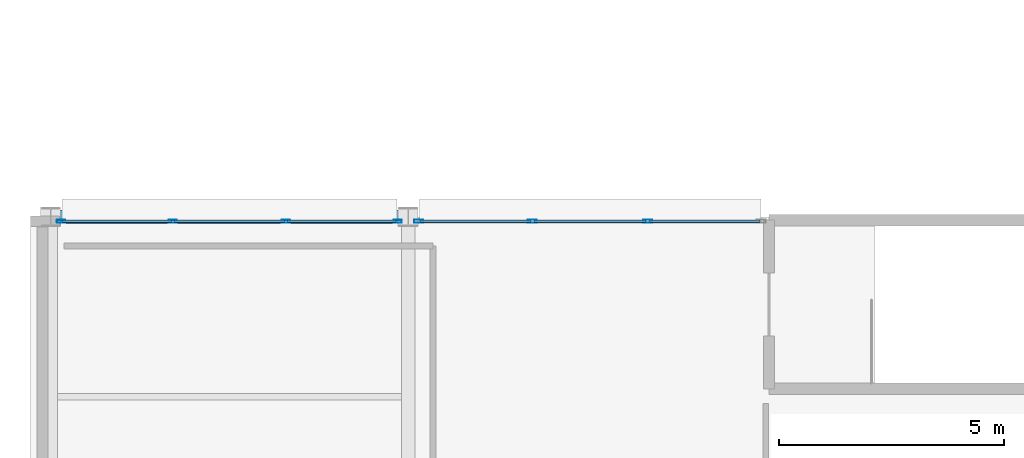
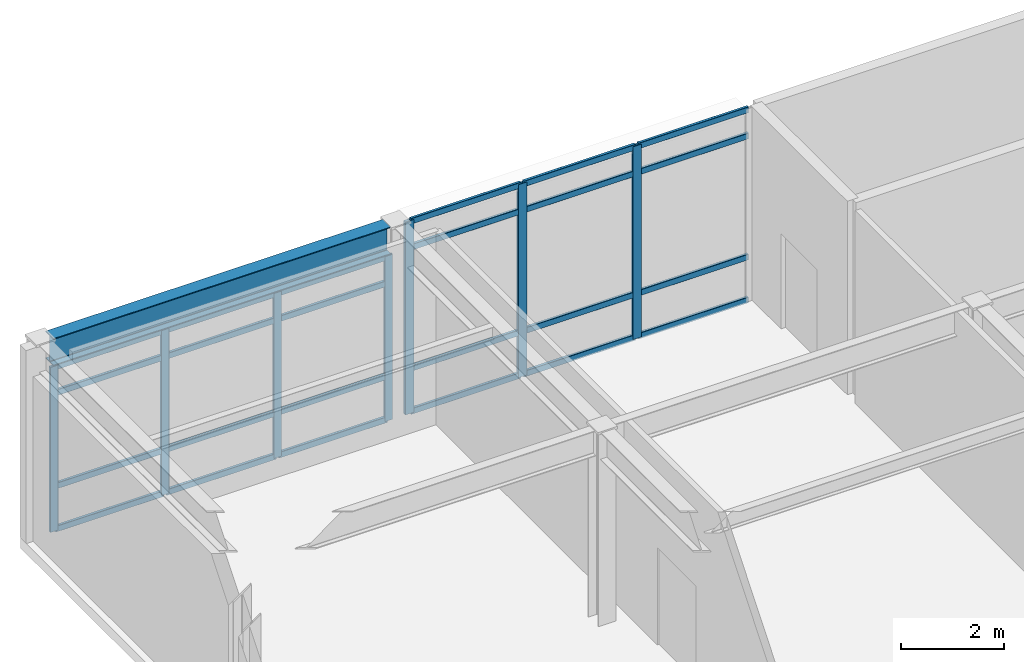
# One storey, part 13 of 61: 31 members, 1 beam, 2 elements without a shape of their own.
"""IFC4 building model written with IfcOpenShell, lengths in metres."""

from ifc_helpers import new_model, si_unit, direction, frame, origin, origin_2d, place, context, subcontext, project, spatial, hollow_rectangle, i_section, extrude, material, layer, layer_set, material_profile, profile_set, type_object, element, aggregate, save


model = new_model("IFC4")

# Units and contexts
model_context = context("Model", 3, precision=1e-05, world=origin(), true_north=direction((0.0, 1.0)))
body_context = subcontext(model_context, "Body", "Model", "MODEL_VIEW")
ifc_project = project(units=[si_unit("LENGTHUNIT", "METRE"), si_unit("AREAUNIT", "SQUARE_METRE"), si_unit("VOLUMEUNIT", "CUBIC_METRE"), si_unit("PLANEANGLEUNIT", "RADIAN"), si_unit("MASSUNIT", "GRAM", prefix="KILO")], contexts=[model_context])

# Site, building, storey
site_placement = place(None, origin())
site = spatial("IfcSite", under=ifc_project, at=site_placement, CompositionType="ELEMENT")
building_placement = place(site_placement, origin())
building = spatial("IfcBuilding", under=site, at=building_placement, Name="Kazehara Bluff Congress Hotel", CompositionType="ELEMENT")
storey_placement = place(building_placement, frame((0.0, 0.0, 19.800048828125)))
storey = spatial("IfcBuildingStorey", under=building, at=storey_placement, Name="L04", CompositionType="ELEMENT", Elevation=19.800048828125)

# Curtain wall, members
ifc_material_1 = material(Name="Anodised aluminium", Category="aluminium")
ifc_layer_1 = layer(ifc_material_1, 0.159912109375)
ifc_layer_set_1 = layer_set([ifc_layer_1], Name="Anodised aluminium")
curtain_wall_type_1 = type_object("IfcCurtainWallType", Name="TP-CW-156", PredefinedType="NOTDEFINED", material=ifc_layer_set_1)
curtain_wall_1_placement = place(storey_placement, origin())
curtain_wall_1 = element("IfcCurtainWall", 1, at=curtain_wall_1_placement, inside=storey, type_object=curtain_wall_type_1, Name="L04 curtain wall CW-156 CW-ENC-V4-L04-6368-5635", PredefinedType="NOTDEFINED")
ifc_material_2 = material(Name="Anodised aluminium", Category="aluminium")
ifc_material_profile_1 = material_profile(ifc_material_2, hollow_rectangle(XDim=0.06494140625, YDim=0.179931640625, WallThickness=0.00390625, InnerFilletRadius=0.00390625, OuterFilletRadius=0.008056640625, at=origin_2d()))
ifc_profile_set_1 = profile_set([ifc_material_profile_1], Name="Anodised aluminium")
member_type_1 = type_object("IfcMemberType", Name="TP-CWM-02", PredefinedType="MULLION", material=ifc_profile_set_1)
member_1_placement = place(storey_placement, frame((59.9326171875, 56.35009765625, 0.0), z_axis=(0.0, 0.0, 1.0), x_axis=(0.0, 1.0, 0.0)))
member_1 = element("IfcMember", 2, at=member_1_placement, type_object=member_type_1, Name="CW-156 mullion 1", PredefinedType="MULLION", context=body_context, shape_type="SweptSolid", body=[
    extrude(hollow_rectangle(XDim=0.06494140625, YDim=0.179931640625, WallThickness=0.00390625, InnerFilletRadius=0.00390625, OuterFilletRadius=0.008056640625, at=origin_2d()), origin(), (0.0, 0.0, 1.0), 3.905029296875),
])
member_2_placement = place(storey_placement, frame((62.416748046875, 56.35009765625, 0.0), z_axis=(0.0, 0.0, 1.0), x_axis=(0.0, 1.0, 0.0)))
member_2 = element("IfcMember", 3, at=member_2_placement, type_object=member_type_1, Name="CW-156 mullion 2", PredefinedType="MULLION", context=body_context, shape_type="SweptSolid", body=[
    extrude(hollow_rectangle(XDim=0.06494140625, YDim=0.179931640625, WallThickness=0.00390625, InnerFilletRadius=0.00390625, OuterFilletRadius=0.008056640625, at=origin_2d()), origin(), (0.0, 0.0, 1.0), 3.905029296875),
])
member_3_placement = place(storey_placement, frame((64.933349609375, 56.35009765625, 0.0), z_axis=(0.0, 0.0, 1.0), x_axis=(0.0, 1.0, 0.0)))
member_3 = element("IfcMember", 4, at=member_3_placement, type_object=member_type_1, Name="CW-156 mullion 3", PredefinedType="MULLION", context=body_context, shape_type="SweptSolid", body=[
    extrude(hollow_rectangle(XDim=0.06494140625, YDim=0.179931640625, WallThickness=0.00390625, InnerFilletRadius=0.00390625, OuterFilletRadius=0.008056640625, at=origin_2d()), origin(), (0.0, 0.0, 1.0), 3.905029296875),
])
member_4_placement = place(storey_placement, frame((67.41748046875, 56.35009765625, 0.0), z_axis=(0.0, 0.0, 1.0), x_axis=(0.0, 1.0, 0.0)))
member_4 = element("IfcMember", 5, at=member_4_placement, type_object=member_type_1, Name="CW-156 mullion 4", PredefinedType="MULLION", context=body_context, shape_type="SweptSolid", body=[
    extrude(hollow_rectangle(XDim=0.06494140625, YDim=0.179931640625, WallThickness=0.00390625, InnerFilletRadius=0.00390625, OuterFilletRadius=0.008056640625, at=origin_2d()), origin(), (0.0, 0.0, 1.0), 3.905029296875),
])

ifc_material_3 = material(Name="Anodised aluminium", Category="aluminium")
ifc_layer_2 = layer(ifc_material_3, 0.159912109375)
ifc_layer_set_2 = layer_set([ifc_layer_2], Name="Anodised aluminium")
curtain_wall_type_2 = type_object("IfcCurtainWallType", Name="TP-CW-157", PredefinedType="NOTDEFINED", material=ifc_layer_set_2)
curtain_wall_2_placement = place(storey_placement, origin())
curtain_wall_2 = element("IfcCurtainWall", 6, at=curtain_wall_2_placement, inside=storey, type_object=curtain_wall_type_2, Name="L04 curtain wall CW-157 CW-ENC-V4-L04-7169-5635", PredefinedType="NOTDEFINED")
ifc_material_4 = material(Name="Anodised aluminium", Category="aluminium")
ifc_material_profile_2 = material_profile(ifc_material_4, hollow_rectangle(XDim=0.070068359375, YDim=0.199951171875, WallThickness=0.0048828125, InnerFilletRadius=0.0048828125, OuterFilletRadius=0.010009765625, at=origin_2d()))
ifc_profile_set_2 = profile_set([ifc_material_profile_2], Name="Anodised aluminium")
member_type_2 = type_object("IfcMemberType", Name="TP-CWM-03", PredefinedType="MULLION", material=ifc_profile_set_2)
member_5_placement = place(storey_placement, frame((67.885009765625, 56.35009765625, 0.0), z_axis=(0.0, 0.0, 1.0), x_axis=(0.0, 1.0, 0.0)))
member_5 = element("IfcMember", 7, at=member_5_placement, type_object=member_type_2, Name="CW-157 mullion 1", PredefinedType="MULLION", context=body_context, shape_type="SweptSolid", body=[
    extrude(hollow_rectangle(XDim=0.070068359375, YDim=0.199951171875, WallThickness=0.0048828125, InnerFilletRadius=0.0048828125, OuterFilletRadius=0.010009765625, at=origin_2d()), origin(), (0.0, 0.0, 1.0), 4.56494140625),
])
member_6_placement = place(storey_placement, frame((70.413330078125, 56.35009765625, 0.0), z_axis=(0.0, 0.0, 1.0), x_axis=(0.0, 1.0, 0.0)))
member_6 = element("IfcMember", 8, at=member_6_placement, type_object=member_type_2, Name="CW-157 mullion 2", PredefinedType="MULLION", context=body_context, shape_type="SweptSolid", body=[
    extrude(hollow_rectangle(XDim=0.070068359375, YDim=0.199951171875, WallThickness=0.0048828125, InnerFilletRadius=0.0048828125, OuterFilletRadius=0.010009765625, at=origin_2d()), origin(), (0.0, 0.0, 1.0), 4.56494140625),
])
member_7_placement = place(storey_placement, frame((72.9765625, 56.35009765625, 0.0), z_axis=(0.0, 0.0, 1.0), x_axis=(0.0, 1.0, 0.0)))
member_7 = element("IfcMember", 9, at=member_7_placement, type_object=member_type_2, Name="CW-157 mullion 3", PredefinedType="MULLION", context=body_context, shape_type="SweptSolid", body=[
    extrude(hollow_rectangle(XDim=0.070068359375, YDim=0.199951171875, WallThickness=0.0048828125, InnerFilletRadius=0.0048828125, OuterFilletRadius=0.010009765625, at=origin_2d()), origin(), (0.0, 0.0, 1.0), 4.56494140625),
])

# Member
ifc_material_5 = material(Name="Anodised aluminium", Category="aluminium")
ifc_material_profile_3 = material_profile(ifc_material_5, hollow_rectangle(XDim=0.06494140625, YDim=0.139892578125, WallThickness=0.00390625, InnerFilletRadius=0.00390625, OuterFilletRadius=0.008056640625, at=origin_2d()))
ifc_profile_set_3 = profile_set([ifc_material_profile_3], Name="Anodised aluminium")
member_type_3 = type_object("IfcMemberType", Name="TP-CWT-02", PredefinedType="USERDEFINED", material=ifc_profile_set_3)
member_8_placement = place(storey_placement, frame((59.965087890625, 56.35009765625, 0.032470703125), z_axis=(1.0, 0.0, 0.0), x_axis=(0.0, 1.0, 0.0)))
member_8 = element("IfcMember", 10, at=member_8_placement, type_object=member_type_3, Name="CW-156 transom 1.1", ObjectType="TRANSOM", PredefinedType="USERDEFINED", context=body_context, shape_type="SweptSolid", body=[
    extrude(hollow_rectangle(XDim=0.06494140625, YDim=0.139892578125, WallThickness=0.00390625, InnerFilletRadius=0.00390625, OuterFilletRadius=0.008056640625, at=origin_2d()), origin(), (0.0, 0.0, 1.0), 2.419189453125),
])

member_9_placement = place(storey_placement, frame((59.965087890625, 56.35009765625, 1.050048828125), z_axis=(1.0, 0.0, 0.0), x_axis=(0.0, 1.0, 0.0)))
member_9 = element("IfcMember", 11, at=member_9_placement, type_object=member_type_3, Name="CW-156 transom 1.2", ObjectType="TRANSOM", PredefinedType="USERDEFINED", context=body_context, shape_type="SweptSolid", body=[
    extrude(hollow_rectangle(XDim=0.06494140625, YDim=0.139892578125, WallThickness=0.00390625, InnerFilletRadius=0.00390625, OuterFilletRadius=0.008056640625, at=origin_2d()), origin(), (0.0, 0.0, 1.0), 2.419189453125),
])

member_10_placement = place(storey_placement, frame((59.965087890625, 56.35009765625, 3.2548828125), z_axis=(1.0, 0.0, 0.0), x_axis=(0.0, 1.0, 0.0)))
member_10 = element("IfcMember", 12, at=member_10_placement, type_object=member_type_3, Name="CW-156 transom 1.3", ObjectType="TRANSOM", PredefinedType="USERDEFINED", context=body_context, shape_type="SweptSolid", body=[
    extrude(hollow_rectangle(XDim=0.06494140625, YDim=0.139892578125, WallThickness=0.00390625, InnerFilletRadius=0.00390625, OuterFilletRadius=0.008056640625, at=origin_2d()), origin(), (0.0, 0.0, 1.0), 2.419189453125),
])

member_11_placement = place(storey_placement, frame((59.965087890625, 56.35009765625, 3.87255859375), z_axis=(1.0, 0.0, 0.0), x_axis=(0.0, 1.0, 0.0)))
member_11 = element("IfcMember", 13, at=member_11_placement, type_object=member_type_3, Name="CW-156 transom 1.4", ObjectType="TRANSOM", PredefinedType="USERDEFINED", context=body_context, shape_type="SweptSolid", body=[
    extrude(hollow_rectangle(XDim=0.06494140625, YDim=0.139892578125, WallThickness=0.00390625, InnerFilletRadius=0.00390625, OuterFilletRadius=0.008056640625, at=origin_2d()), origin(), (0.0, 0.0, 1.0), 2.419189453125),
])

member_12_placement = place(storey_placement, frame((62.44921875, 56.35009765625, 0.032470703125), z_axis=(1.0, 0.0, 0.0), x_axis=(0.0, 1.0, 0.0)))
member_12 = element("IfcMember", 14, at=member_12_placement, type_object=member_type_3, Name="CW-156 transom 2.1", ObjectType="TRANSOM", PredefinedType="USERDEFINED", context=body_context, shape_type="SweptSolid", body=[
    extrude(hollow_rectangle(XDim=0.06494140625, YDim=0.139892578125, WallThickness=0.00390625, InnerFilletRadius=0.00390625, OuterFilletRadius=0.008056640625, at=origin_2d()), origin(), (0.0, 0.0, 1.0), 2.45166015625),
])

member_13_placement = place(storey_placement, frame((62.44921875, 56.35009765625, 1.050048828125), z_axis=(1.0, 0.0, 0.0), x_axis=(0.0, 1.0, 0.0)))
member_13 = element("IfcMember", 15, at=member_13_placement, type_object=member_type_3, Name="CW-156 transom 2.2", ObjectType="TRANSOM", PredefinedType="USERDEFINED", context=body_context, shape_type="SweptSolid", body=[
    extrude(hollow_rectangle(XDim=0.06494140625, YDim=0.139892578125, WallThickness=0.00390625, InnerFilletRadius=0.00390625, OuterFilletRadius=0.008056640625, at=origin_2d()), origin(), (0.0, 0.0, 1.0), 2.45166015625),
])

member_14_placement = place(storey_placement, frame((62.44921875, 56.35009765625, 3.2548828125), z_axis=(1.0, 0.0, 0.0), x_axis=(0.0, 1.0, 0.0)))
member_14 = element("IfcMember", 16, at=member_14_placement, type_object=member_type_3, Name="CW-156 transom 2.3", ObjectType="TRANSOM", PredefinedType="USERDEFINED", context=body_context, shape_type="SweptSolid", body=[
    extrude(hollow_rectangle(XDim=0.06494140625, YDim=0.139892578125, WallThickness=0.00390625, InnerFilletRadius=0.00390625, OuterFilletRadius=0.008056640625, at=origin_2d()), origin(), (0.0, 0.0, 1.0), 2.45166015625),
])

member_15_placement = place(storey_placement, frame((62.44921875, 56.35009765625, 3.87255859375), z_axis=(1.0, 0.0, 0.0), x_axis=(0.0, 1.0, 0.0)))
member_15 = element("IfcMember", 17, at=member_15_placement, type_object=member_type_3, Name="CW-156 transom 2.4", ObjectType="TRANSOM", PredefinedType="USERDEFINED", context=body_context, shape_type="SweptSolid", body=[
    extrude(hollow_rectangle(XDim=0.06494140625, YDim=0.139892578125, WallThickness=0.00390625, InnerFilletRadius=0.00390625, OuterFilletRadius=0.008056640625, at=origin_2d()), origin(), (0.0, 0.0, 1.0), 2.45166015625),
])

member_16_placement = place(storey_placement, frame((64.9658203125, 56.35009765625, 0.032470703125), z_axis=(1.0, 0.0, 0.0), x_axis=(0.0, 1.0, 0.0)))
member_16 = element("IfcMember", 18, at=member_16_placement, type_object=member_type_3, Name="CW-156 transom 3.1", ObjectType="TRANSOM", PredefinedType="USERDEFINED", context=body_context, shape_type="SweptSolid", body=[
    extrude(hollow_rectangle(XDim=0.06494140625, YDim=0.139892578125, WallThickness=0.00390625, InnerFilletRadius=0.00390625, OuterFilletRadius=0.008056640625, at=origin_2d()), origin(), (0.0, 0.0, 1.0), 2.419189453125),
])

member_17_placement = place(storey_placement, frame((64.9658203125, 56.35009765625, 1.050048828125), z_axis=(1.0, 0.0, 0.0), x_axis=(0.0, 1.0, 0.0)))
member_17 = element("IfcMember", 19, at=member_17_placement, type_object=member_type_3, Name="CW-156 transom 3.2", ObjectType="TRANSOM", PredefinedType="USERDEFINED", context=body_context, shape_type="SweptSolid", body=[
    extrude(hollow_rectangle(XDim=0.06494140625, YDim=0.139892578125, WallThickness=0.00390625, InnerFilletRadius=0.00390625, OuterFilletRadius=0.008056640625, at=origin_2d()), origin(), (0.0, 0.0, 1.0), 2.419189453125),
])

member_18_placement = place(storey_placement, frame((64.9658203125, 56.35009765625, 3.2548828125), z_axis=(1.0, 0.0, 0.0), x_axis=(0.0, 1.0, 0.0)))
member_18 = element("IfcMember", 20, at=member_18_placement, type_object=member_type_3, Name="CW-156 transom 3.3", ObjectType="TRANSOM", PredefinedType="USERDEFINED", context=body_context, shape_type="SweptSolid", body=[
    extrude(hollow_rectangle(XDim=0.06494140625, YDim=0.139892578125, WallThickness=0.00390625, InnerFilletRadius=0.00390625, OuterFilletRadius=0.008056640625, at=origin_2d()), origin(), (0.0, 0.0, 1.0), 2.419189453125),
])

member_19_placement = place(storey_placement, frame((64.9658203125, 56.35009765625, 3.87255859375), z_axis=(1.0, 0.0, 0.0), x_axis=(0.0, 1.0, 0.0)))
member_19 = element("IfcMember", 21, at=member_19_placement, type_object=member_type_3, Name="CW-156 transom 3.4", ObjectType="TRANSOM", PredefinedType="USERDEFINED", context=body_context, shape_type="SweptSolid", body=[
    extrude(hollow_rectangle(XDim=0.06494140625, YDim=0.139892578125, WallThickness=0.00390625, InnerFilletRadius=0.00390625, OuterFilletRadius=0.008056640625, at=origin_2d()), origin(), (0.0, 0.0, 1.0), 2.419189453125),
])

aggregate(curtain_wall_1, [member_1, member_2, member_3, member_4, member_8, member_9, member_10, member_11, member_12, member_13, member_14, member_15, member_16, member_17, member_18, member_19])

member_20_placement = place(storey_placement, frame((67.919921875, 56.35009765625, 0.032470703125), z_axis=(1.0, 0.0, 0.0), x_axis=(0.0, 1.0, 0.0)))
member_20 = element("IfcMember", 22, at=member_20_placement, type_object=member_type_3, Name="CW-157 transom 1.1", ObjectType="TRANSOM", PredefinedType="USERDEFINED", context=body_context, shape_type="SweptSolid", body=[
    extrude(hollow_rectangle(XDim=0.06494140625, YDim=0.139892578125, WallThickness=0.00390625, InnerFilletRadius=0.00390625, OuterFilletRadius=0.008056640625, at=origin_2d()), origin(), (0.0, 0.0, 1.0), 2.45849609375),
])

member_21_placement = place(storey_placement, frame((67.919921875, 56.35009765625, 1.050048828125), z_axis=(1.0, 0.0, 0.0), x_axis=(0.0, 1.0, 0.0)))
member_21 = element("IfcMember", 23, at=member_21_placement, type_object=member_type_3, Name="CW-157 transom 1.2", ObjectType="TRANSOM", PredefinedType="USERDEFINED", context=body_context, shape_type="SweptSolid", body=[
    extrude(hollow_rectangle(XDim=0.06494140625, YDim=0.139892578125, WallThickness=0.00390625, InnerFilletRadius=0.00390625, OuterFilletRadius=0.008056640625, at=origin_2d()), origin(), (0.0, 0.0, 1.0), 2.45849609375),
])

member_22_placement = place(storey_placement, frame((67.919921875, 56.35009765625, 3.9150390625), z_axis=(1.0, 0.0, 0.0), x_axis=(0.0, 1.0, 0.0)))
member_22 = element("IfcMember", 24, at=member_22_placement, type_object=member_type_3, Name="CW-157 transom 1.3", ObjectType="TRANSOM", PredefinedType="USERDEFINED", context=body_context, shape_type="SweptSolid", body=[
    extrude(hollow_rectangle(XDim=0.06494140625, YDim=0.139892578125, WallThickness=0.00390625, InnerFilletRadius=0.00390625, OuterFilletRadius=0.008056640625, at=origin_2d()), origin(), (0.0, 0.0, 1.0), 2.45849609375),
])

member_23_placement = place(storey_placement, frame((67.919921875, 56.35009765625, 4.532470703125), z_axis=(1.0, 0.0, 0.0), x_axis=(0.0, 1.0, 0.0)))
member_23 = element("IfcMember", 25, at=member_23_placement, type_object=member_type_3, Name="CW-157 transom 1.4", ObjectType="TRANSOM", PredefinedType="USERDEFINED", context=body_context, shape_type="SweptSolid", body=[
    extrude(hollow_rectangle(XDim=0.06494140625, YDim=0.139892578125, WallThickness=0.00390625, InnerFilletRadius=0.00390625, OuterFilletRadius=0.008056640625, at=origin_2d()), origin(), (0.0, 0.0, 1.0), 2.45849609375),
])

member_24_placement = place(storey_placement, frame((70.4482421875, 56.35009765625, 0.032470703125), z_axis=(1.0, 0.0, 0.0), x_axis=(0.0, 1.0, 0.0)))
member_24 = element("IfcMember", 26, at=member_24_placement, type_object=member_type_3, Name="CW-157 transom 2.1", ObjectType="TRANSOM", PredefinedType="USERDEFINED", context=body_context, shape_type="SweptSolid", body=[
    extrude(hollow_rectangle(XDim=0.06494140625, YDim=0.139892578125, WallThickness=0.00390625, InnerFilletRadius=0.00390625, OuterFilletRadius=0.008056640625, at=origin_2d()), origin(), (0.0, 0.0, 1.0), 2.493408203125),
])

member_25_placement = place(storey_placement, frame((70.4482421875, 56.35009765625, 1.050048828125), z_axis=(1.0, 0.0, 0.0), x_axis=(0.0, 1.0, 0.0)))
member_25 = element("IfcMember", 27, at=member_25_placement, type_object=member_type_3, Name="CW-157 transom 2.2", ObjectType="TRANSOM", PredefinedType="USERDEFINED", context=body_context, shape_type="SweptSolid", body=[
    extrude(hollow_rectangle(XDim=0.06494140625, YDim=0.139892578125, WallThickness=0.00390625, InnerFilletRadius=0.00390625, OuterFilletRadius=0.008056640625, at=origin_2d()), origin(), (0.0, 0.0, 1.0), 2.493408203125),
])

member_26_placement = place(storey_placement, frame((70.4482421875, 56.35009765625, 3.9150390625), z_axis=(1.0, 0.0, 0.0), x_axis=(0.0, 1.0, 0.0)))
member_26 = element("IfcMember", 28, at=member_26_placement, type_object=member_type_3, Name="CW-157 transom 2.3", ObjectType="TRANSOM", PredefinedType="USERDEFINED", context=body_context, shape_type="SweptSolid", body=[
    extrude(hollow_rectangle(XDim=0.06494140625, YDim=0.139892578125, WallThickness=0.00390625, InnerFilletRadius=0.00390625, OuterFilletRadius=0.008056640625, at=origin_2d()), origin(), (0.0, 0.0, 1.0), 2.493408203125),
])

member_27_placement = place(storey_placement, frame((70.4482421875, 56.35009765625, 4.532470703125), z_axis=(1.0, 0.0, 0.0), x_axis=(0.0, 1.0, 0.0)))
member_27 = element("IfcMember", 29, at=member_27_placement, type_object=member_type_3, Name="CW-157 transom 2.4", ObjectType="TRANSOM", PredefinedType="USERDEFINED", context=body_context, shape_type="SweptSolid", body=[
    extrude(hollow_rectangle(XDim=0.06494140625, YDim=0.139892578125, WallThickness=0.00390625, InnerFilletRadius=0.00390625, OuterFilletRadius=0.008056640625, at=origin_2d()), origin(), (0.0, 0.0, 1.0), 2.493408203125),
])

member_28_placement = place(storey_placement, frame((73.01171875, 56.35009765625, 0.032470703125), z_axis=(1.0, 0.0, 0.0), x_axis=(0.0, 1.0, 0.0)))
member_28 = element("IfcMember", 30, at=member_28_placement, type_object=member_type_3, Name="CW-157 transom 3.1", ObjectType="TRANSOM", PredefinedType="USERDEFINED", context=body_context, shape_type="SweptSolid", body=[
    extrude(hollow_rectangle(XDim=0.06494140625, YDim=0.139892578125, WallThickness=0.00390625, InnerFilletRadius=0.00390625, OuterFilletRadius=0.008056640625, at=origin_2d()), origin(), (0.0, 0.0, 1.0), 2.458251953125),
])

member_29_placement = place(storey_placement, frame((73.01171875, 56.35009765625, 1.050048828125), z_axis=(1.0, 0.0, 0.0), x_axis=(0.0, 1.0, 0.0)))
member_29 = element("IfcMember", 31, at=member_29_placement, type_object=member_type_3, Name="CW-157 transom 3.2", ObjectType="TRANSOM", PredefinedType="USERDEFINED", context=body_context, shape_type="SweptSolid", body=[
    extrude(hollow_rectangle(XDim=0.06494140625, YDim=0.139892578125, WallThickness=0.00390625, InnerFilletRadius=0.00390625, OuterFilletRadius=0.008056640625, at=origin_2d()), origin(), (0.0, 0.0, 1.0), 2.458251953125),
])

member_30_placement = place(storey_placement, frame((73.01171875, 56.35009765625, 3.9150390625), z_axis=(1.0, 0.0, 0.0), x_axis=(0.0, 1.0, 0.0)))
member_30 = element("IfcMember", 32, at=member_30_placement, type_object=member_type_3, Name="CW-157 transom 3.3", ObjectType="TRANSOM", PredefinedType="USERDEFINED", context=body_context, shape_type="SweptSolid", body=[
    extrude(hollow_rectangle(XDim=0.06494140625, YDim=0.139892578125, WallThickness=0.00390625, InnerFilletRadius=0.00390625, OuterFilletRadius=0.008056640625, at=origin_2d()), origin(), (0.0, 0.0, 1.0), 2.458251953125),
])

member_31_placement = place(storey_placement, frame((73.01171875, 56.35009765625, 4.532470703125), z_axis=(1.0, 0.0, 0.0), x_axis=(0.0, 1.0, 0.0)))
member_31 = element("IfcMember", 33, at=member_31_placement, type_object=member_type_3, Name="CW-157 transom 3.4", ObjectType="TRANSOM", PredefinedType="USERDEFINED", context=body_context, shape_type="SweptSolid", body=[
    extrude(hollow_rectangle(XDim=0.06494140625, YDim=0.139892578125, WallThickness=0.00390625, InnerFilletRadius=0.00390625, OuterFilletRadius=0.008056640625, at=origin_2d()), origin(), (0.0, 0.0, 1.0), 2.458251953125),
])

aggregate(curtain_wall_2, [member_5, member_6, member_7, member_20, member_21, member_22, member_23, member_24, member_25, member_26, member_27, member_28, member_29, member_30, member_31])

# Beam
ifc_material_6 = material(Name="Steel SN490B", Category="steel")
ifc_material_profile_4 = material_profile(ifc_material_6, i_section(OverallWidth=0.300048828125, OverallDepth=0.64990234375, WebThickness=0.011962890625, FlangeThickness=0.02001953125, FilletRadius=0.012939453125, at=origin_2d()))
ifc_profile_set_4 = profile_set([ifc_material_profile_4], Name="Steel SN490B")
beam_type = type_object("IfcBeamType", Name="TP-G-03", PredefinedType="BEAM", material=ifc_profile_set_4)
beam_placement = place(storey_placement, frame((59.89990234375, 56.449951171875, 4.2548828125), z_axis=(1.0, 0.0, 0.0), x_axis=(0.0, 1.0, 0.0)))
element("IfcBeam", 34, at=beam_placement, inside=storey, type_object=beam_type, Name="L04 girder G-03 30", PredefinedType="BEAM", context=body_context, shape_type="SweptSolid", body=[
    extrude(i_section(OverallWidth=0.300048828125, OverallDepth=0.64990234375, WebThickness=0.011962890625, FlangeThickness=0.02001953125, FilletRadius=0.012939453125, at=origin_2d()), origin(), (0.0, 0.0, 1.0), 7.550048828125),
])

save(model, "model.ifc")
